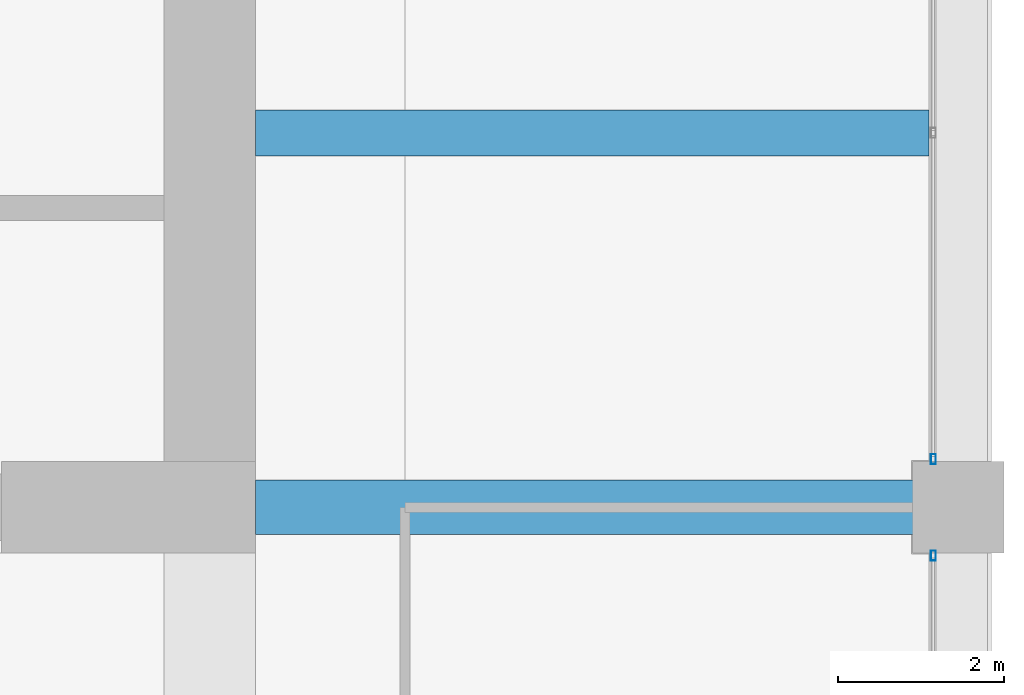
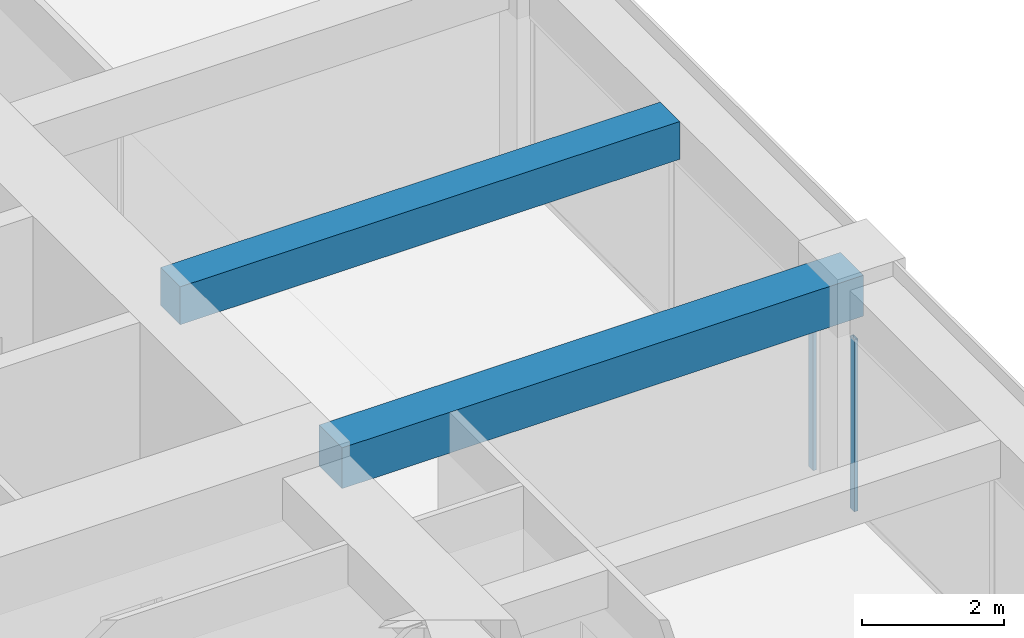
# One storey, part 24 of 44: 2 beams, 2 members, 2 elements without a shape of their own.
"""IFC4 building model written with IfcOpenShell, lengths in metres."""

from ifc_helpers import new_model, si_unit, direction, frame, origin, origin_2d, place, context, subcontext, project, spatial, rectangle, hollow_rectangle, extrude, material, material_profile, profile_set, type_object, element, aggregate, save


model = new_model("IFC4")

# Units and contexts
model_context = context("Model", 3, precision=1e-05, world=origin(), true_north=direction((0.0, 1.0)))
body_context = subcontext(model_context, "Body", "Model", "MODEL_VIEW")
ifc_project = project(units=[si_unit("LENGTHUNIT", "METRE"), si_unit("AREAUNIT", "SQUARE_METRE"), si_unit("VOLUMEUNIT", "CUBIC_METRE"), si_unit("PLANEANGLEUNIT", "RADIAN"), si_unit("MASSUNIT", "GRAM", prefix="KILO")], contexts=[model_context])

# Site, building, storey
site_placement = place(None, origin())
site = spatial("IfcSite", under=ifc_project, at=site_placement, CompositionType="ELEMENT")
building_placement = place(site_placement, origin())
building = spatial("IfcBuilding", under=site, at=building_placement, Name="Zorevar Civic Tower", CompositionType="ELEMENT")
storey_placement = place(building_placement, frame((0.0, 0.0, 251.39990234375)))
storey = spatial("IfcBuildingStorey", under=building, at=storey_placement, Name="L61", CompositionType="ELEMENT", Elevation=251.39990234375)

# Beams
ifc_material_1 = material(Name="Concrete C50/60", Category="concrete")
ifc_material_profile_1 = material_profile(ifc_material_1, rectangle(XDim=0.550048828125, YDim=0.64990234375, at=origin_2d()), Name="RC 550x650")
ifc_profile_set_1 = profile_set([ifc_material_profile_1], Name="Concrete C50/60")
beam_type_1 = type_object("IfcBeamType", Name="Beam RC 550x650", PredefinedType="BEAM", material=ifc_profile_set_1)
beam_1_placement = place(storey_placement, frame((45.550048828125, 22.5, 3.425048828125), z_axis=(1.0, 0.0, 0.0), x_axis=(0.0, 1.0, 0.0)))
element("IfcBeam", 1, at=beam_1_placement, inside=storey, type_object=beam_type_1, Name="Secondary beam L62", PredefinedType="BEAM", context=body_context, shape_type="SweptSolid", body=[
    extrude(rectangle(XDim=0.550048828125, YDim=0.64990234375, at=origin_2d()), origin(), (0.0, 0.0, 1.0), 8.099853515625),
])
ifc_material_2 = material(Name="Concrete C50/60", Category="concrete")
ifc_material_profile_2 = material_profile(ifc_material_2, rectangle(XDim=0.64990234375, YDim=0.699951171875, at=origin_2d()), Name="RC 650x700")
ifc_profile_set_2 = profile_set([ifc_material_profile_2], Name="Concrete C50/60")
beam_type_2 = type_object("IfcBeamType", Name="Beam RC 650x700", PredefinedType="BEAM", material=ifc_profile_set_2)
beam_2_placement = place(storey_placement, frame((45.550048828125, 18.0, 3.400146484375), z_axis=(1.0, 0.0, 0.0), x_axis=(0.0, 1.0, 0.0)))
element("IfcBeam", 2, at=beam_2_placement, inside=storey, type_object=beam_type_2, Name="Girder L62", PredefinedType="BEAM", context=body_context, shape_type="SweptSolid", body=[
    extrude(rectangle(XDim=0.64990234375, YDim=0.699951171875, at=origin_2d()), origin(), (0.0, 0.0, 1.0), 8.449951171875),
])

# Curtain wall, member
ifc_material_3 = material(Name="Dark grey solar-control glass in black aluminium frame", Category="aluminium")
curtain_wall_type = type_object("IfcCurtainWallType", Name="Curtain wall CW5 top zone", PredefinedType="NOTDEFINED", material=ifc_material_3)
curtain_wall_1_placement = place(storey_placement, origin())
curtain_wall_1 = element("IfcCurtainWall", 3, at=curtain_wall_1_placement, inside=storey, type_object=curtain_wall_type, Name="CW5 L61", PredefinedType="NOTDEFINED")
ifc_material_4 = material(Name="Aluminium, black anodised", Category="aluminium")
ifc_material_profile_3 = material_profile(ifc_material_4, hollow_rectangle(XDim=0.06005859375, YDim=0.1201171875, WallThickness=0.0029296875, at=origin_2d()), Name="AL 120x60x3")
ifc_profile_set_3 = profile_set([ifc_material_profile_3], Name="Aluminium, black anodised")
member_type = type_object("IfcMemberType", Name="CW5 mullion AL 120x60x3", PredefinedType="MULLION", material=ifc_profile_set_3)
member_1_placement = place(storey_placement, frame((53.699951171875, 17.419921875, 0.0), z_axis=(0.0, 0.0, 1.0), x_axis=(-1.0, 0.0, 0.0)))
member_1 = element("IfcMember", 4, at=member_1_placement, type_object=member_type, Name="CW5 mullion 3", PredefinedType="MULLION", context=body_context, shape_type="SweptSolid", body=[
    extrude(hollow_rectangle(XDim=0.06005859375, YDim=0.1201171875, WallThickness=0.0029296875, at=origin_2d()), origin(), (0.0, 0.0, 1.0), 2.9501953125),
])
aggregate(curtain_wall_1, [member_1])

curtain_wall_2_placement = place(storey_placement, origin())
curtain_wall_2 = element("IfcCurtainWall", 5, at=curtain_wall_2_placement, inside=storey, type_object=curtain_wall_type, Name="CW5 L61", PredefinedType="NOTDEFINED")
member_2_placement = place(storey_placement, frame((53.699951171875, 18.580078125, 0.0), z_axis=(0.0, 0.0, 1.0), x_axis=(-1.0, 0.0, 0.0)))
member_2 = element("IfcMember", 6, at=member_2_placement, type_object=member_type, Name="CW5 mullion 1", PredefinedType="MULLION", context=body_context, shape_type="SweptSolid", body=[
    extrude(hollow_rectangle(XDim=0.06005859375, YDim=0.1201171875, WallThickness=0.0029296875, at=origin_2d()), origin(), (0.0, 0.0, 1.0), 2.9501953125),
])
aggregate(curtain_wall_2, [member_2])

save(model, "model.ifc")
